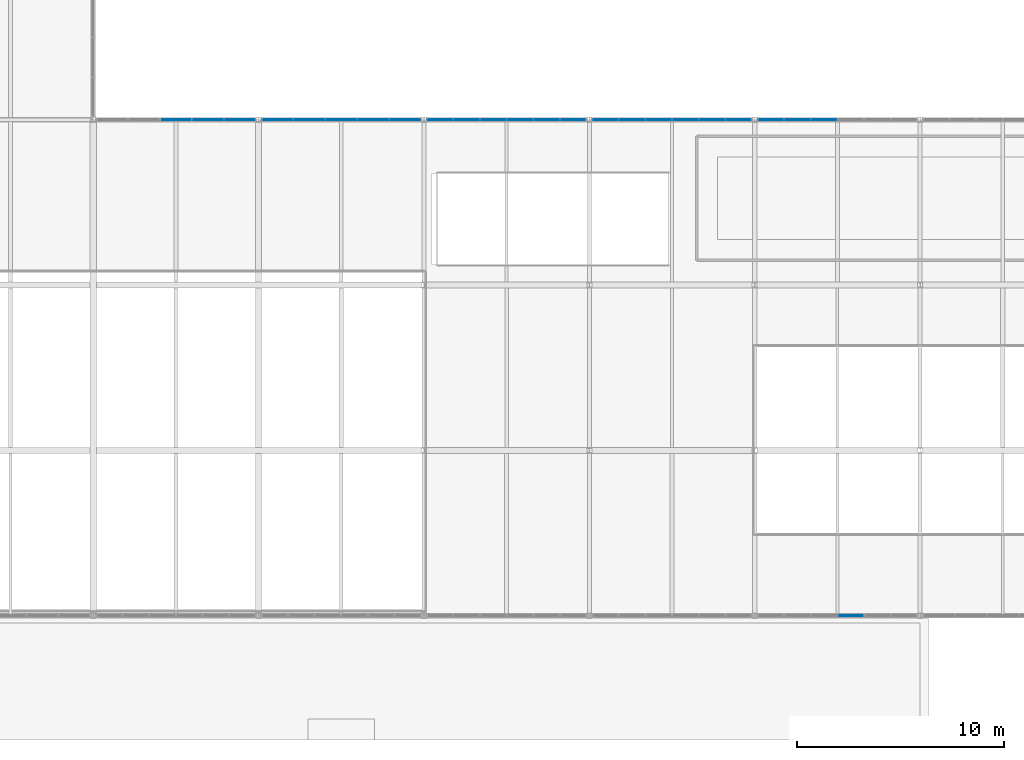
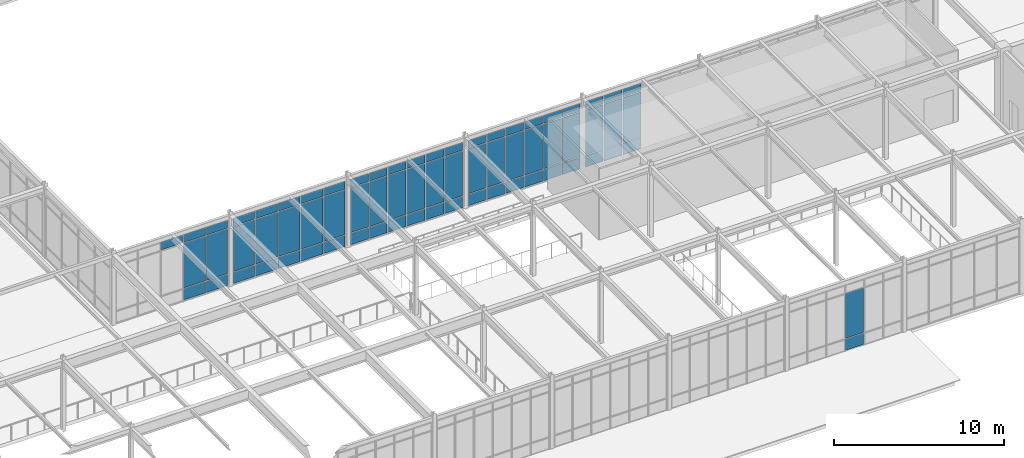
# One storey, part 91 of 184: 69 plates, 6 elements without a shape of their own.
"""IFC4 building model written with IfcOpenShell, lengths in metres."""

from ifc_helpers import new_model, si_unit, direction, frame, origin, origin_2d, place, context, subcontext, project, spatial, rectangle, extrude, material, layer, layer_set, type_object, element, aggregate, save


model = new_model("IFC4")

# Units and contexts
model_context = context("Model", 3, precision=1e-05, world=origin(), true_north=direction((0.0, 1.0)))
body_context = subcontext(model_context, "Body", "Model", "MODEL_VIEW")
ifc_project = project(units=[si_unit("LENGTHUNIT", "METRE"), si_unit("AREAUNIT", "SQUARE_METRE"), si_unit("VOLUMEUNIT", "CUBIC_METRE"), si_unit("PLANEANGLEUNIT", "RADIAN"), si_unit("MASSUNIT", "GRAM", prefix="KILO")], contexts=[model_context])

# Site, building, storey
site_placement = place(None, origin())
site = spatial("IfcSite", under=ifc_project, at=site_placement, CompositionType="ELEMENT")
building_placement = place(site_placement, origin())
building = spatial("IfcBuilding", under=site, at=building_placement, Name="Zhaolan Boulevard Law Courts", CompositionType="ELEMENT")
storey_placement = place(building_placement, frame((0.0, 0.0, 5.39990234375)))
storey = spatial("IfcBuildingStorey", under=building, at=storey_placement, Name="L01", CompositionType="ELEMENT", Elevation=5.39990234375)

# Curtain wall, plates
ifc_material_1 = material(Name="Thermally broken aluminium and low-E glazing", Category="aluminium")
curtain_wall_type_1 = type_object("IfcCurtainWallType", Name="CURTAIN WALL M15", PredefinedType="USERDEFINED", material=ifc_material_1)
curtain_wall_1_placement = place(storey_placement, origin())
curtain_wall_1 = element("IfcCurtainWall", 1, at=curtain_wall_1_placement, inside=storey, type_object=curtain_wall_type_1, Name="Curtain Wall CW-L01-039", ObjectType="CURTAIN WALL", PredefinedType="USERDEFINED")
ifc_material_2 = material(Name="Acoustic laminated low-E glazing", Category="glass")
ifc_layer = layer(ifc_material_2, 0.031982421875)
ifc_layer_set = layer_set([ifc_layer])
plate_type = type_object("IfcPlateType", Name="CWPANEL LOW E32", PredefinedType="CURTAIN_PANEL", material=ifc_layer_set)
plate_1_placement = place(storey_placement, frame((96.6455078125, 6.0, 0.06494140625), z_axis=(0.0, 0.0, 1.0), x_axis=(1.0, 0.0, 0.0)))
plate_1 = element("IfcPlate", 2, at=plate_1_placement, type_object=plate_type, Name="CW-L01-039 panel 4.1", PredefinedType="CURTAIN_PANEL", context=body_context, shape_type="SweptSolid", body=[
    extrude(rectangle(XDim=1.22607421875, YDim=0.031982421875, at=origin_2d()), origin(), (0.0, 0.0, 1.0), 0.802490234375),
])
plate_2_placement = place(storey_placement, frame((96.6455078125, 6.0, 0.9326171875), z_axis=(0.0, 0.0, 1.0), x_axis=(1.0, 0.0, 0.0)))
plate_2 = element("IfcPlate", 3, at=plate_2_placement, type_object=plate_type, Name="CW-L01-039 panel 4.2", PredefinedType="CURTAIN_PANEL", context=body_context, shape_type="SweptSolid", body=[
    extrude(rectangle(XDim=1.22607421875, YDim=0.031982421875, at=origin_2d()), origin(), (0.0, 0.0, 1.0), 3.2080078125),
])
aggregate(curtain_wall_1, [plate_1, plate_2])

ifc_material_3 = material(Name="Thermally broken aluminium and low-E glazing", Category="aluminium")
curtain_wall_type_2 = type_object("IfcCurtainWallType", Name="CURTAIN WALL M1", PredefinedType="USERDEFINED", material=ifc_material_3)
curtain_wall_2_placement = place(storey_placement, origin())
curtain_wall_2 = element("IfcCurtainWall", 4, at=curtain_wall_2_placement, inside=storey, type_object=curtain_wall_type_2, Name="Curtain Wall CW-L01-049", ObjectType="CURTAIN WALL", PredefinedType="USERDEFINED")
plate_3_placement = place(storey_placement, frame((67.08203125, 30.0, 0.06494140625), z_axis=(0.0, 0.0, 1.0), x_axis=(-1.0, 0.0, 0.0)))
plate_3 = element("IfcPlate", 5, at=plate_3_placement, type_object=plate_type, Name="CW-L01-049 panel 1.1", PredefinedType="CURTAIN_PANEL", context=body_context, shape_type="SweptSolid", body=[
    extrude(rectangle(XDim=1.45166015625, YDim=0.031982421875, at=origin_2d()), origin(), (0.0, 0.0, 1.0), 0.802490234375),
])
plate_4_placement = place(storey_placement, frame((67.08203125, 30.0, 0.9326171875), z_axis=(0.0, 0.0, 1.0), x_axis=(-1.0, 0.0, 0.0)))
plate_4 = element("IfcPlate", 6, at=plate_4_placement, type_object=plate_type, Name="CW-L01-049 panel 1.2", PredefinedType="CURTAIN_PANEL", context=body_context, shape_type="SweptSolid", body=[
    extrude(rectangle(XDim=1.45166015625, YDim=0.031982421875, at=origin_2d()), origin(), (0.0, 0.0, 1.0), 3.2080078125),
])
plate_5_placement = place(storey_placement, frame((67.08203125, 30.0, 4.20556640625), z_axis=(0.0, 0.0, 1.0), x_axis=(-1.0, 0.0, 0.0)))
plate_5 = element("IfcPlate", 7, at=plate_5_placement, type_object=plate_type, Name="CW-L01-049 panel 1.3", PredefinedType="CURTAIN_PANEL", context=body_context, shape_type="SweptSolid", body=[
    extrude(rectangle(XDim=1.45166015625, YDim=0.031982421875, at=origin_2d()), origin(), (0.0, 0.0, 1.0), 0.552490234375),
])
plate_6_placement = place(storey_placement, frame((65.54931640625, 30.0, 0.06494140625), z_axis=(0.0, 0.0, 1.0), x_axis=(-1.0, 0.0, 0.0)))
plate_6 = element("IfcPlate", 8, at=plate_6_placement, type_object=plate_type, Name="CW-L01-049 panel 2.1", PredefinedType="CURTAIN_PANEL", context=body_context, shape_type="SweptSolid", body=[
    extrude(rectangle(XDim=1.484130859375, YDim=0.031982421875, at=origin_2d()), origin(), (0.0, 0.0, 1.0), 0.802490234375),
])
plate_7_placement = place(storey_placement, frame((65.54931640625, 30.0, 0.9326171875), z_axis=(0.0, 0.0, 1.0), x_axis=(-1.0, 0.0, 0.0)))
plate_7 = element("IfcPlate", 9, at=plate_7_placement, type_object=plate_type, Name="CW-L01-049 panel 2.2", PredefinedType="CURTAIN_PANEL", context=body_context, shape_type="SweptSolid", body=[
    extrude(rectangle(XDim=1.484130859375, YDim=0.031982421875, at=origin_2d()), origin(), (0.0, 0.0, 1.0), 3.2080078125),
])
plate_8_placement = place(storey_placement, frame((65.54931640625, 30.0, 4.20556640625), z_axis=(0.0, 0.0, 1.0), x_axis=(-1.0, 0.0, 0.0)))
plate_8 = element("IfcPlate", 10, at=plate_8_placement, type_object=plate_type, Name="CW-L01-049 panel 2.3", PredefinedType="CURTAIN_PANEL", context=body_context, shape_type="SweptSolid", body=[
    extrude(rectangle(XDim=1.484130859375, YDim=0.031982421875, at=origin_2d()), origin(), (0.0, 0.0, 1.0), 0.552490234375),
])
plate_9_placement = place(storey_placement, frame((64.0, 30.0, 4.20556640625), z_axis=(0.0, 0.0, 1.0), x_axis=(-1.0, 0.0, 0.0)))
plate_9 = element("IfcPlate", 11, at=plate_9_placement, type_object=plate_type, Name="CW-L01-049 panel 3.3", PredefinedType="CURTAIN_PANEL", context=body_context, shape_type="SweptSolid", body=[
    extrude(rectangle(XDim=1.484130859375, YDim=0.031982421875, at=origin_2d()), origin(), (0.0, 0.0, 1.0), 0.552490234375),
])
aggregate(curtain_wall_2, [plate_3, plate_4, plate_5, plate_6, plate_7, plate_8, plate_9])

ifc_material_4 = material(Name="Thermally broken aluminium and low-E glazing", Category="aluminium")
curtain_wall_type_3 = type_object("IfcCurtainWallType", Name="CURTAIN WALL M2", PredefinedType="USERDEFINED", material=ifc_material_4)
curtain_wall_3_placement = place(storey_placement, origin())
curtain_wall_3 = element("IfcCurtainWall", 12, at=curtain_wall_3_placement, inside=storey, type_object=curtain_wall_type_3, Name="Curtain Wall CW-L01-050", ObjectType="CURTAIN WALL", PredefinedType="USERDEFINED")
plate_10_placement = place(storey_placement, frame((75.08203125, 30.0, 0.06494140625), z_axis=(0.0, 0.0, 1.0), x_axis=(-1.0, 0.0, 0.0)))
plate_10 = element("IfcPlate", 13, at=plate_10_placement, type_object=plate_type, Name="CW-L01-050 panel 1.1", PredefinedType="CURTAIN_PANEL", context=body_context, shape_type="SweptSolid", body=[
    extrude(rectangle(XDim=1.45166015625, YDim=0.031982421875, at=origin_2d()), origin(), (0.0, 0.0, 1.0), 0.802490234375),
])
plate_11_placement = place(storey_placement, frame((75.08203125, 30.0, 0.9326171875), z_axis=(0.0, 0.0, 1.0), x_axis=(-1.0, 0.0, 0.0)))
plate_11 = element("IfcPlate", 14, at=plate_11_placement, type_object=plate_type, Name="CW-L01-050 panel 1.2", PredefinedType="CURTAIN_PANEL", context=body_context, shape_type="SweptSolid", body=[
    extrude(rectangle(XDim=1.45166015625, YDim=0.031982421875, at=origin_2d()), origin(), (0.0, 0.0, 1.0), 3.2080078125),
])
plate_12_placement = place(storey_placement, frame((75.08203125, 30.0, 4.20556640625), z_axis=(0.0, 0.0, 1.0), x_axis=(-1.0, 0.0, 0.0)))
plate_12 = element("IfcPlate", 15, at=plate_12_placement, type_object=plate_type, Name="CW-L01-050 panel 1.3", PredefinedType="CURTAIN_PANEL", context=body_context, shape_type="SweptSolid", body=[
    extrude(rectangle(XDim=1.45166015625, YDim=0.031982421875, at=origin_2d()), origin(), (0.0, 0.0, 1.0), 0.552490234375),
])
plate_13_placement = place(storey_placement, frame((73.54931640625, 30.0, 0.06494140625), z_axis=(0.0, 0.0, 1.0), x_axis=(-1.0, 0.0, 0.0)))
plate_13 = element("IfcPlate", 16, at=plate_13_placement, type_object=plate_type, Name="CW-L01-050 panel 2.1", PredefinedType="CURTAIN_PANEL", context=body_context, shape_type="SweptSolid", body=[
    extrude(rectangle(XDim=1.484130859375, YDim=0.031982421875, at=origin_2d()), origin(), (0.0, 0.0, 1.0), 0.802490234375),
])
plate_14_placement = place(storey_placement, frame((73.54931640625, 30.0, 0.9326171875), z_axis=(0.0, 0.0, 1.0), x_axis=(-1.0, 0.0, 0.0)))
plate_14 = element("IfcPlate", 17, at=plate_14_placement, type_object=plate_type, Name="CW-L01-050 panel 2.2", PredefinedType="CURTAIN_PANEL", context=body_context, shape_type="SweptSolid", body=[
    extrude(rectangle(XDim=1.484130859375, YDim=0.031982421875, at=origin_2d()), origin(), (0.0, 0.0, 1.0), 3.2080078125),
])
plate_15_placement = place(storey_placement, frame((73.54931640625, 30.0, 4.20556640625), z_axis=(0.0, 0.0, 1.0), x_axis=(-1.0, 0.0, 0.0)))
plate_15 = element("IfcPlate", 18, at=plate_15_placement, type_object=plate_type, Name="CW-L01-050 panel 2.3", PredefinedType="CURTAIN_PANEL", context=body_context, shape_type="SweptSolid", body=[
    extrude(rectangle(XDim=1.484130859375, YDim=0.031982421875, at=origin_2d()), origin(), (0.0, 0.0, 1.0), 0.552490234375),
])
plate_16_placement = place(storey_placement, frame((72.0, 30.0, 0.06494140625), z_axis=(0.0, 0.0, 1.0), x_axis=(-1.0, 0.0, 0.0)))
plate_16 = element("IfcPlate", 19, at=plate_16_placement, type_object=plate_type, Name="CW-L01-050 panel 3.1", PredefinedType="CURTAIN_PANEL", context=body_context, shape_type="SweptSolid", body=[
    extrude(rectangle(XDim=1.484130859375, YDim=0.031982421875, at=origin_2d()), origin(), (0.0, 0.0, 1.0), 0.802490234375),
])
plate_17_placement = place(storey_placement, frame((72.0, 30.0, 0.9326171875), z_axis=(0.0, 0.0, 1.0), x_axis=(-1.0, 0.0, 0.0)))
plate_17 = element("IfcPlate", 20, at=plate_17_placement, type_object=plate_type, Name="CW-L01-050 panel 3.2", PredefinedType="CURTAIN_PANEL", context=body_context, shape_type="SweptSolid", body=[
    extrude(rectangle(XDim=1.484130859375, YDim=0.031982421875, at=origin_2d()), origin(), (0.0, 0.0, 1.0), 3.2080078125),
])
plate_18_placement = place(storey_placement, frame((72.0, 30.0, 4.20556640625), z_axis=(0.0, 0.0, 1.0), x_axis=(-1.0, 0.0, 0.0)))
plate_18 = element("IfcPlate", 21, at=plate_18_placement, type_object=plate_type, Name="CW-L01-050 panel 3.3", PredefinedType="CURTAIN_PANEL", context=body_context, shape_type="SweptSolid", body=[
    extrude(rectangle(XDim=1.484130859375, YDim=0.031982421875, at=origin_2d()), origin(), (0.0, 0.0, 1.0), 0.552490234375),
])
plate_19_placement = place(storey_placement, frame((70.45068359375, 30.0, 0.06494140625), z_axis=(0.0, 0.0, 1.0), x_axis=(-1.0, 0.0, 0.0)))
plate_19 = element("IfcPlate", 22, at=plate_19_placement, type_object=plate_type, Name="CW-L01-050 panel 4.1", PredefinedType="CURTAIN_PANEL", context=body_context, shape_type="SweptSolid", body=[
    extrude(rectangle(XDim=1.484130859375, YDim=0.031982421875, at=origin_2d()), origin(), (0.0, 0.0, 1.0), 0.802490234375),
])
plate_20_placement = place(storey_placement, frame((70.45068359375, 30.0, 0.9326171875), z_axis=(0.0, 0.0, 1.0), x_axis=(-1.0, 0.0, 0.0)))
plate_20 = element("IfcPlate", 23, at=plate_20_placement, type_object=plate_type, Name="CW-L01-050 panel 4.2", PredefinedType="CURTAIN_PANEL", context=body_context, shape_type="SweptSolid", body=[
    extrude(rectangle(XDim=1.484130859375, YDim=0.031982421875, at=origin_2d()), origin(), (0.0, 0.0, 1.0), 3.2080078125),
])
plate_21_placement = place(storey_placement, frame((70.45068359375, 30.0, 4.20556640625), z_axis=(0.0, 0.0, 1.0), x_axis=(-1.0, 0.0, 0.0)))
plate_21 = element("IfcPlate", 24, at=plate_21_placement, type_object=plate_type, Name="CW-L01-050 panel 4.3", PredefinedType="CURTAIN_PANEL", context=body_context, shape_type="SweptSolid", body=[
    extrude(rectangle(XDim=1.484130859375, YDim=0.031982421875, at=origin_2d()), origin(), (0.0, 0.0, 1.0), 0.552490234375),
])
plate_22_placement = place(storey_placement, frame((68.91796875, 30.0, 0.06494140625), z_axis=(0.0, 0.0, 1.0), x_axis=(-1.0, 0.0, 0.0)))
plate_22 = element("IfcPlate", 25, at=plate_22_placement, type_object=plate_type, Name="CW-L01-050 panel 5.1", PredefinedType="CURTAIN_PANEL", context=body_context, shape_type="SweptSolid", body=[
    extrude(rectangle(XDim=1.45166015625, YDim=0.031982421875, at=origin_2d()), origin(), (0.0, 0.0, 1.0), 0.802490234375),
])
plate_23_placement = place(storey_placement, frame((68.91796875, 30.0, 0.9326171875), z_axis=(0.0, 0.0, 1.0), x_axis=(-1.0, 0.0, 0.0)))
plate_23 = element("IfcPlate", 26, at=plate_23_placement, type_object=plate_type, Name="CW-L01-050 panel 5.2", PredefinedType="CURTAIN_PANEL", context=body_context, shape_type="SweptSolid", body=[
    extrude(rectangle(XDim=1.45166015625, YDim=0.031982421875, at=origin_2d()), origin(), (0.0, 0.0, 1.0), 3.2080078125),
])
plate_24_placement = place(storey_placement, frame((68.91796875, 30.0, 4.20556640625), z_axis=(0.0, 0.0, 1.0), x_axis=(-1.0, 0.0, 0.0)))
plate_24 = element("IfcPlate", 27, at=plate_24_placement, type_object=plate_type, Name="CW-L01-050 panel 5.3", PredefinedType="CURTAIN_PANEL", context=body_context, shape_type="SweptSolid", body=[
    extrude(rectangle(XDim=1.45166015625, YDim=0.031982421875, at=origin_2d()), origin(), (0.0, 0.0, 1.0), 0.552490234375),
])
aggregate(curtain_wall_3, [plate_10, plate_11, plate_12, plate_13, plate_14, plate_15, plate_16, plate_17, plate_18, plate_19, plate_20, plate_21, plate_22, plate_23, plate_24])

ifc_material_5 = material(Name="Thermally broken aluminium and low-E glazing", Category="aluminium")
curtain_wall_type_4 = type_object("IfcCurtainWallType", Name="CURTAIN WALL M3", PredefinedType="USERDEFINED", material=ifc_material_5)
curtain_wall_4_placement = place(storey_placement, origin())
curtain_wall_4 = element("IfcCurtainWall", 28, at=curtain_wall_4_placement, inside=storey, type_object=curtain_wall_type_4, Name="Curtain Wall CW-L01-051", ObjectType="CURTAIN WALL", PredefinedType="USERDEFINED")
plate_25_placement = place(storey_placement, frame((83.211181640625, 30.0, 0.06494140625), z_axis=(0.0, 0.0, 1.0), x_axis=(-1.0, 0.0, 0.0)))
plate_25 = element("IfcPlate", 29, at=plate_25_placement, type_object=plate_type, Name="CW-L01-051 panel 1.1", PredefinedType="CURTAIN_PANEL", context=body_context, shape_type="SweptSolid", body=[
    extrude(rectangle(XDim=1.193603515625, YDim=0.031982421875, at=origin_2d()), origin(), (0.0, 0.0, 1.0), 0.802490234375),
])
plate_26_placement = place(storey_placement, frame((83.211181640625, 30.0, 0.9326171875), z_axis=(0.0, 0.0, 1.0), x_axis=(-1.0, 0.0, 0.0)))
plate_26 = element("IfcPlate", 30, at=plate_26_placement, type_object=plate_type, Name="CW-L01-051 panel 1.2", PredefinedType="CURTAIN_PANEL", context=body_context, shape_type="SweptSolid", body=[
    extrude(rectangle(XDim=1.193603515625, YDim=0.031982421875, at=origin_2d()), origin(), (0.0, 0.0, 1.0), 3.2080078125),
])
plate_27_placement = place(storey_placement, frame((83.211181640625, 30.0, 4.20556640625), z_axis=(0.0, 0.0, 1.0), x_axis=(-1.0, 0.0, 0.0)))
plate_27 = element("IfcPlate", 31, at=plate_27_placement, type_object=plate_type, Name="CW-L01-051 panel 1.3", PredefinedType="CURTAIN_PANEL", context=body_context, shape_type="SweptSolid", body=[
    extrude(rectangle(XDim=1.193603515625, YDim=0.031982421875, at=origin_2d()), origin(), (0.0, 0.0, 1.0), 0.552490234375),
])
plate_28_placement = place(storey_placement, frame((81.9365234375, 30.0, 0.06494140625), z_axis=(0.0, 0.0, 1.0), x_axis=(-1.0, 0.0, 0.0)))
plate_28 = element("IfcPlate", 32, at=plate_28_placement, type_object=plate_type, Name="CW-L01-051 panel 2.1", PredefinedType="CURTAIN_PANEL", context=body_context, shape_type="SweptSolid", body=[
    extrude(rectangle(XDim=1.22607421875, YDim=0.031982421875, at=origin_2d()), origin(), (0.0, 0.0, 1.0), 0.802490234375),
])
plate_29_placement = place(storey_placement, frame((81.9365234375, 30.0, 0.9326171875), z_axis=(0.0, 0.0, 1.0), x_axis=(-1.0, 0.0, 0.0)))
plate_29 = element("IfcPlate", 33, at=plate_29_placement, type_object=plate_type, Name="CW-L01-051 panel 2.2", PredefinedType="CURTAIN_PANEL", context=body_context, shape_type="SweptSolid", body=[
    extrude(rectangle(XDim=1.22607421875, YDim=0.031982421875, at=origin_2d()), origin(), (0.0, 0.0, 1.0), 3.2080078125),
])
plate_30_placement = place(storey_placement, frame((81.9365234375, 30.0, 4.20556640625), z_axis=(0.0, 0.0, 1.0), x_axis=(-1.0, 0.0, 0.0)))
plate_30 = element("IfcPlate", 34, at=plate_30_placement, type_object=plate_type, Name="CW-L01-051 panel 2.3", PredefinedType="CURTAIN_PANEL", context=body_context, shape_type="SweptSolid", body=[
    extrude(rectangle(XDim=1.22607421875, YDim=0.031982421875, at=origin_2d()), origin(), (0.0, 0.0, 1.0), 0.552490234375),
])
plate_31_placement = place(storey_placement, frame((80.6455078125, 30.0, 0.06494140625), z_axis=(0.0, 0.0, 1.0), x_axis=(-1.0, 0.0, 0.0)))
plate_31 = element("IfcPlate", 35, at=plate_31_placement, type_object=plate_type, Name="CW-L01-051 panel 3.1", PredefinedType="CURTAIN_PANEL", context=body_context, shape_type="SweptSolid", body=[
    extrude(rectangle(XDim=1.22607421875, YDim=0.031982421875, at=origin_2d()), origin(), (0.0, 0.0, 1.0), 0.802490234375),
])
plate_32_placement = place(storey_placement, frame((80.6455078125, 30.0, 0.9326171875), z_axis=(0.0, 0.0, 1.0), x_axis=(-1.0, 0.0, 0.0)))
plate_32 = element("IfcPlate", 36, at=plate_32_placement, type_object=plate_type, Name="CW-L01-051 panel 3.2", PredefinedType="CURTAIN_PANEL", context=body_context, shape_type="SweptSolid", body=[
    extrude(rectangle(XDim=1.22607421875, YDim=0.031982421875, at=origin_2d()), origin(), (0.0, 0.0, 1.0), 3.2080078125),
])
plate_33_placement = place(storey_placement, frame((80.6455078125, 30.0, 4.20556640625), z_axis=(0.0, 0.0, 1.0), x_axis=(-1.0, 0.0, 0.0)))
plate_33 = element("IfcPlate", 37, at=plate_33_placement, type_object=plate_type, Name="CW-L01-051 panel 3.3", PredefinedType="CURTAIN_PANEL", context=body_context, shape_type="SweptSolid", body=[
    extrude(rectangle(XDim=1.22607421875, YDim=0.031982421875, at=origin_2d()), origin(), (0.0, 0.0, 1.0), 0.552490234375),
])
plate_34_placement = place(storey_placement, frame((79.3544921875, 30.0, 0.06494140625), z_axis=(0.0, 0.0, 1.0), x_axis=(-1.0, 0.0, 0.0)))
plate_34 = element("IfcPlate", 38, at=plate_34_placement, type_object=plate_type, Name="CW-L01-051 panel 4.1", PredefinedType="CURTAIN_PANEL", context=body_context, shape_type="SweptSolid", body=[
    extrude(rectangle(XDim=1.22607421875, YDim=0.031982421875, at=origin_2d()), origin(), (0.0, 0.0, 1.0), 0.802490234375),
])
plate_35_placement = place(storey_placement, frame((79.3544921875, 30.0, 0.9326171875), z_axis=(0.0, 0.0, 1.0), x_axis=(-1.0, 0.0, 0.0)))
plate_35 = element("IfcPlate", 39, at=plate_35_placement, type_object=plate_type, Name="CW-L01-051 panel 4.2", PredefinedType="CURTAIN_PANEL", context=body_context, shape_type="SweptSolid", body=[
    extrude(rectangle(XDim=1.22607421875, YDim=0.031982421875, at=origin_2d()), origin(), (0.0, 0.0, 1.0), 3.2080078125),
])
plate_36_placement = place(storey_placement, frame((79.3544921875, 30.0, 4.20556640625), z_axis=(0.0, 0.0, 1.0), x_axis=(-1.0, 0.0, 0.0)))
plate_36 = element("IfcPlate", 40, at=plate_36_placement, type_object=plate_type, Name="CW-L01-051 panel 4.3", PredefinedType="CURTAIN_PANEL", context=body_context, shape_type="SweptSolid", body=[
    extrude(rectangle(XDim=1.22607421875, YDim=0.031982421875, at=origin_2d()), origin(), (0.0, 0.0, 1.0), 0.552490234375),
])
plate_37_placement = place(storey_placement, frame((78.0634765625, 30.0, 0.06494140625), z_axis=(0.0, 0.0, 1.0), x_axis=(-1.0, 0.0, 0.0)))
plate_37 = element("IfcPlate", 41, at=plate_37_placement, type_object=plate_type, Name="CW-L01-051 panel 5.1", PredefinedType="CURTAIN_PANEL", context=body_context, shape_type="SweptSolid", body=[
    extrude(rectangle(XDim=1.22607421875, YDim=0.031982421875, at=origin_2d()), origin(), (0.0, 0.0, 1.0), 0.802490234375),
])
plate_38_placement = place(storey_placement, frame((78.0634765625, 30.0, 0.9326171875), z_axis=(0.0, 0.0, 1.0), x_axis=(-1.0, 0.0, 0.0)))
plate_38 = element("IfcPlate", 42, at=plate_38_placement, type_object=plate_type, Name="CW-L01-051 panel 5.2", PredefinedType="CURTAIN_PANEL", context=body_context, shape_type="SweptSolid", body=[
    extrude(rectangle(XDim=1.22607421875, YDim=0.031982421875, at=origin_2d()), origin(), (0.0, 0.0, 1.0), 3.2080078125),
])
plate_39_placement = place(storey_placement, frame((78.0634765625, 30.0, 4.20556640625), z_axis=(0.0, 0.0, 1.0), x_axis=(-1.0, 0.0, 0.0)))
plate_39 = element("IfcPlate", 43, at=plate_39_placement, type_object=plate_type, Name="CW-L01-051 panel 5.3", PredefinedType="CURTAIN_PANEL", context=body_context, shape_type="SweptSolid", body=[
    extrude(rectangle(XDim=1.22607421875, YDim=0.031982421875, at=origin_2d()), origin(), (0.0, 0.0, 1.0), 0.552490234375),
])
plate_40_placement = place(storey_placement, frame((76.788818359375, 30.0, 0.06494140625), z_axis=(0.0, 0.0, 1.0), x_axis=(-1.0, 0.0, 0.0)))
plate_40 = element("IfcPlate", 44, at=plate_40_placement, type_object=plate_type, Name="CW-L01-051 panel 6.1", PredefinedType="CURTAIN_PANEL", context=body_context, shape_type="SweptSolid", body=[
    extrude(rectangle(XDim=1.193603515625, YDim=0.031982421875, at=origin_2d()), origin(), (0.0, 0.0, 1.0), 0.802490234375),
])
plate_41_placement = place(storey_placement, frame((76.788818359375, 30.0, 0.9326171875), z_axis=(0.0, 0.0, 1.0), x_axis=(-1.0, 0.0, 0.0)))
plate_41 = element("IfcPlate", 45, at=plate_41_placement, type_object=plate_type, Name="CW-L01-051 panel 6.2", PredefinedType="CURTAIN_PANEL", context=body_context, shape_type="SweptSolid", body=[
    extrude(rectangle(XDim=1.193603515625, YDim=0.031982421875, at=origin_2d()), origin(), (0.0, 0.0, 1.0), 3.2080078125),
])
plate_42_placement = place(storey_placement, frame((76.788818359375, 30.0, 4.20556640625), z_axis=(0.0, 0.0, 1.0), x_axis=(-1.0, 0.0, 0.0)))
plate_42 = element("IfcPlate", 46, at=plate_42_placement, type_object=plate_type, Name="CW-L01-051 panel 6.3", PredefinedType="CURTAIN_PANEL", context=body_context, shape_type="SweptSolid", body=[
    extrude(rectangle(XDim=1.193603515625, YDim=0.031982421875, at=origin_2d()), origin(), (0.0, 0.0, 1.0), 0.552490234375),
])
aggregate(curtain_wall_4, [plate_25, plate_26, plate_27, plate_28, plate_29, plate_30, plate_31, plate_32, plate_33, plate_34, plate_35, plate_36, plate_37, plate_38, plate_39, plate_40, plate_41, plate_42])

ifc_material_6 = material(Name="Thermally broken aluminium and low-E glazing", Category="aluminium")
curtain_wall_type_5 = type_object("IfcCurtainWallType", Name="CURTAIN WALL M4", PredefinedType="USERDEFINED", material=ifc_material_6)
curtain_wall_5_placement = place(storey_placement, origin())
curtain_wall_5 = element("IfcCurtainWall", 47, at=curtain_wall_5_placement, inside=storey, type_object=curtain_wall_type_5, Name="Curtain Wall CW-L01-052", ObjectType="CURTAIN WALL", PredefinedType="USERDEFINED")
plate_43_placement = place(storey_placement, frame((91.211181640625, 30.0, 0.06494140625), z_axis=(0.0, 0.0, 1.0), x_axis=(-1.0, 0.0, 0.0)))
plate_43 = element("IfcPlate", 48, at=plate_43_placement, type_object=plate_type, Name="CW-L01-052 panel 1.1", PredefinedType="CURTAIN_PANEL", context=body_context, shape_type="SweptSolid", body=[
    extrude(rectangle(XDim=1.193603515625, YDim=0.031982421875, at=origin_2d()), origin(), (0.0, 0.0, 1.0), 0.802490234375),
])
plate_44_placement = place(storey_placement, frame((91.211181640625, 30.0, 0.9326171875), z_axis=(0.0, 0.0, 1.0), x_axis=(-1.0, 0.0, 0.0)))
plate_44 = element("IfcPlate", 49, at=plate_44_placement, type_object=plate_type, Name="CW-L01-052 panel 1.2", PredefinedType="CURTAIN_PANEL", context=body_context, shape_type="SweptSolid", body=[
    extrude(rectangle(XDim=1.193603515625, YDim=0.031982421875, at=origin_2d()), origin(), (0.0, 0.0, 1.0), 3.2080078125),
])
plate_45_placement = place(storey_placement, frame((91.211181640625, 30.0, 4.20556640625), z_axis=(0.0, 0.0, 1.0), x_axis=(-1.0, 0.0, 0.0)))
plate_45 = element("IfcPlate", 50, at=plate_45_placement, type_object=plate_type, Name="CW-L01-052 panel 1.3", PredefinedType="CURTAIN_PANEL", context=body_context, shape_type="SweptSolid", body=[
    extrude(rectangle(XDim=1.193603515625, YDim=0.031982421875, at=origin_2d()), origin(), (0.0, 0.0, 1.0), 0.552490234375),
])
plate_46_placement = place(storey_placement, frame((89.9365234375, 30.0, 0.06494140625), z_axis=(0.0, 0.0, 1.0), x_axis=(-1.0, 0.0, 0.0)))
plate_46 = element("IfcPlate", 51, at=plate_46_placement, type_object=plate_type, Name="CW-L01-052 panel 2.1", PredefinedType="CURTAIN_PANEL", context=body_context, shape_type="SweptSolid", body=[
    extrude(rectangle(XDim=1.22607421875, YDim=0.031982421875, at=origin_2d()), origin(), (0.0, 0.0, 1.0), 0.802490234375),
])
plate_47_placement = place(storey_placement, frame((89.9365234375, 30.0, 0.9326171875), z_axis=(0.0, 0.0, 1.0), x_axis=(-1.0, 0.0, 0.0)))
plate_47 = element("IfcPlate", 52, at=plate_47_placement, type_object=plate_type, Name="CW-L01-052 panel 2.2", PredefinedType="CURTAIN_PANEL", context=body_context, shape_type="SweptSolid", body=[
    extrude(rectangle(XDim=1.22607421875, YDim=0.031982421875, at=origin_2d()), origin(), (0.0, 0.0, 1.0), 3.2080078125),
])
plate_48_placement = place(storey_placement, frame((89.9365234375, 30.0, 4.20556640625), z_axis=(0.0, 0.0, 1.0), x_axis=(-1.0, 0.0, 0.0)))
plate_48 = element("IfcPlate", 53, at=plate_48_placement, type_object=plate_type, Name="CW-L01-052 panel 2.3", PredefinedType="CURTAIN_PANEL", context=body_context, shape_type="SweptSolid", body=[
    extrude(rectangle(XDim=1.22607421875, YDim=0.031982421875, at=origin_2d()), origin(), (0.0, 0.0, 1.0), 0.552490234375),
])
plate_49_placement = place(storey_placement, frame((88.6455078125, 30.0, 0.06494140625), z_axis=(0.0, 0.0, 1.0), x_axis=(-1.0, 0.0, 0.0)))
plate_49 = element("IfcPlate", 54, at=plate_49_placement, type_object=plate_type, Name="CW-L01-052 panel 3.1", PredefinedType="CURTAIN_PANEL", context=body_context, shape_type="SweptSolid", body=[
    extrude(rectangle(XDim=1.22607421875, YDim=0.031982421875, at=origin_2d()), origin(), (0.0, 0.0, 1.0), 0.802490234375),
])
plate_50_placement = place(storey_placement, frame((88.6455078125, 30.0, 0.9326171875), z_axis=(0.0, 0.0, 1.0), x_axis=(-1.0, 0.0, 0.0)))
plate_50 = element("IfcPlate", 55, at=plate_50_placement, type_object=plate_type, Name="CW-L01-052 panel 3.2", PredefinedType="CURTAIN_PANEL", context=body_context, shape_type="SweptSolid", body=[
    extrude(rectangle(XDim=1.22607421875, YDim=0.031982421875, at=origin_2d()), origin(), (0.0, 0.0, 1.0), 3.2080078125),
])
plate_51_placement = place(storey_placement, frame((88.6455078125, 30.0, 4.20556640625), z_axis=(0.0, 0.0, 1.0), x_axis=(-1.0, 0.0, 0.0)))
plate_51 = element("IfcPlate", 56, at=plate_51_placement, type_object=plate_type, Name="CW-L01-052 panel 3.3", PredefinedType="CURTAIN_PANEL", context=body_context, shape_type="SweptSolid", body=[
    extrude(rectangle(XDim=1.22607421875, YDim=0.031982421875, at=origin_2d()), origin(), (0.0, 0.0, 1.0), 0.552490234375),
])
plate_52_placement = place(storey_placement, frame((87.3544921875, 30.0, 0.06494140625), z_axis=(0.0, 0.0, 1.0), x_axis=(-1.0, 0.0, 0.0)))
plate_52 = element("IfcPlate", 57, at=plate_52_placement, type_object=plate_type, Name="CW-L01-052 panel 4.1", PredefinedType="CURTAIN_PANEL", context=body_context, shape_type="SweptSolid", body=[
    extrude(rectangle(XDim=1.22607421875, YDim=0.031982421875, at=origin_2d()), origin(), (0.0, 0.0, 1.0), 0.802490234375),
])
plate_53_placement = place(storey_placement, frame((87.3544921875, 30.0, 0.9326171875), z_axis=(0.0, 0.0, 1.0), x_axis=(-1.0, 0.0, 0.0)))
plate_53 = element("IfcPlate", 58, at=plate_53_placement, type_object=plate_type, Name="CW-L01-052 panel 4.2", PredefinedType="CURTAIN_PANEL", context=body_context, shape_type="SweptSolid", body=[
    extrude(rectangle(XDim=1.22607421875, YDim=0.031982421875, at=origin_2d()), origin(), (0.0, 0.0, 1.0), 3.2080078125),
])
plate_54_placement = place(storey_placement, frame((87.3544921875, 30.0, 4.20556640625), z_axis=(0.0, 0.0, 1.0), x_axis=(-1.0, 0.0, 0.0)))
plate_54 = element("IfcPlate", 59, at=plate_54_placement, type_object=plate_type, Name="CW-L01-052 panel 4.3", PredefinedType="CURTAIN_PANEL", context=body_context, shape_type="SweptSolid", body=[
    extrude(rectangle(XDim=1.22607421875, YDim=0.031982421875, at=origin_2d()), origin(), (0.0, 0.0, 1.0), 0.552490234375),
])
plate_55_placement = place(storey_placement, frame((86.0634765625, 30.0, 0.06494140625), z_axis=(0.0, 0.0, 1.0), x_axis=(-1.0, 0.0, 0.0)))
plate_55 = element("IfcPlate", 60, at=plate_55_placement, type_object=plate_type, Name="CW-L01-052 panel 5.1", PredefinedType="CURTAIN_PANEL", context=body_context, shape_type="SweptSolid", body=[
    extrude(rectangle(XDim=1.22607421875, YDim=0.031982421875, at=origin_2d()), origin(), (0.0, 0.0, 1.0), 0.802490234375),
])
plate_56_placement = place(storey_placement, frame((86.0634765625, 30.0, 0.9326171875), z_axis=(0.0, 0.0, 1.0), x_axis=(-1.0, 0.0, 0.0)))
plate_56 = element("IfcPlate", 61, at=plate_56_placement, type_object=plate_type, Name="CW-L01-052 panel 5.2", PredefinedType="CURTAIN_PANEL", context=body_context, shape_type="SweptSolid", body=[
    extrude(rectangle(XDim=1.22607421875, YDim=0.031982421875, at=origin_2d()), origin(), (0.0, 0.0, 1.0), 3.2080078125),
])
plate_57_placement = place(storey_placement, frame((86.0634765625, 30.0, 4.20556640625), z_axis=(0.0, 0.0, 1.0), x_axis=(-1.0, 0.0, 0.0)))
plate_57 = element("IfcPlate", 62, at=plate_57_placement, type_object=plate_type, Name="CW-L01-052 panel 5.3", PredefinedType="CURTAIN_PANEL", context=body_context, shape_type="SweptSolid", body=[
    extrude(rectangle(XDim=1.22607421875, YDim=0.031982421875, at=origin_2d()), origin(), (0.0, 0.0, 1.0), 0.552490234375),
])
plate_58_placement = place(storey_placement, frame((84.788818359375, 30.0, 0.06494140625), z_axis=(0.0, 0.0, 1.0), x_axis=(-1.0, 0.0, 0.0)))
plate_58 = element("IfcPlate", 63, at=plate_58_placement, type_object=plate_type, Name="CW-L01-052 panel 6.1", PredefinedType="CURTAIN_PANEL", context=body_context, shape_type="SweptSolid", body=[
    extrude(rectangle(XDim=1.193603515625, YDim=0.031982421875, at=origin_2d()), origin(), (0.0, 0.0, 1.0), 0.802490234375),
])
plate_59_placement = place(storey_placement, frame((84.788818359375, 30.0, 0.9326171875), z_axis=(0.0, 0.0, 1.0), x_axis=(-1.0, 0.0, 0.0)))
plate_59 = element("IfcPlate", 64, at=plate_59_placement, type_object=plate_type, Name="CW-L01-052 panel 6.2", PredefinedType="CURTAIN_PANEL", context=body_context, shape_type="SweptSolid", body=[
    extrude(rectangle(XDim=1.193603515625, YDim=0.031982421875, at=origin_2d()), origin(), (0.0, 0.0, 1.0), 3.2080078125),
])
plate_60_placement = place(storey_placement, frame((84.788818359375, 30.0, 4.20556640625), z_axis=(0.0, 0.0, 1.0), x_axis=(-1.0, 0.0, 0.0)))
plate_60 = element("IfcPlate", 65, at=plate_60_placement, type_object=plate_type, Name="CW-L01-052 panel 6.3", PredefinedType="CURTAIN_PANEL", context=body_context, shape_type="SweptSolid", body=[
    extrude(rectangle(XDim=1.193603515625, YDim=0.031982421875, at=origin_2d()), origin(), (0.0, 0.0, 1.0), 0.552490234375),
])
aggregate(curtain_wall_5, [plate_43, plate_44, plate_45, plate_46, plate_47, plate_48, plate_49, plate_50, plate_51, plate_52, plate_53, plate_54, plate_55, plate_56, plate_57, plate_58, plate_59, plate_60])

ifc_material_7 = material(Name="Thermally broken aluminium and low-E glazing", Category="aluminium")
curtain_wall_type_6 = type_object("IfcCurtainWallType", Name="CURTAIN WALL M5", PredefinedType="USERDEFINED", material=ifc_material_7)
curtain_wall_6_placement = place(storey_placement, origin())
curtain_wall_6 = element("IfcCurtainWall", 66, at=curtain_wall_6_placement, inside=storey, type_object=curtain_wall_type_6, Name="Curtain Wall CW-L01-053", ObjectType="CURTAIN WALL", PredefinedType="USERDEFINED")
plate_61_placement = place(storey_placement, frame((95.3544921875, 30.0, 0.06494140625), z_axis=(0.0, 0.0, 1.0), x_axis=(-1.0, 0.0, 0.0)))
plate_61 = element("IfcPlate", 67, at=plate_61_placement, type_object=plate_type, Name="CW-L01-053 panel 4.1", PredefinedType="CURTAIN_PANEL", context=body_context, shape_type="SweptSolid", body=[
    extrude(rectangle(XDim=1.22607421875, YDim=0.031982421875, at=origin_2d()), origin(), (0.0, 0.0, 1.0), 0.802490234375),
])
plate_62_placement = place(storey_placement, frame((95.3544921875, 30.0, 0.9326171875), z_axis=(0.0, 0.0, 1.0), x_axis=(-1.0, 0.0, 0.0)))
plate_62 = element("IfcPlate", 68, at=plate_62_placement, type_object=plate_type, Name="CW-L01-053 panel 4.2", PredefinedType="CURTAIN_PANEL", context=body_context, shape_type="SweptSolid", body=[
    extrude(rectangle(XDim=1.22607421875, YDim=0.031982421875, at=origin_2d()), origin(), (0.0, 0.0, 1.0), 3.2080078125),
])
plate_63_placement = place(storey_placement, frame((95.3544921875, 30.0, 4.20556640625), z_axis=(0.0, 0.0, 1.0), x_axis=(-1.0, 0.0, 0.0)))
plate_63 = element("IfcPlate", 69, at=plate_63_placement, type_object=plate_type, Name="CW-L01-053 panel 4.3", PredefinedType="CURTAIN_PANEL", context=body_context, shape_type="SweptSolid", body=[
    extrude(rectangle(XDim=1.22607421875, YDim=0.031982421875, at=origin_2d()), origin(), (0.0, 0.0, 1.0), 0.552490234375),
])
plate_64_placement = place(storey_placement, frame((94.0634765625, 30.0, 0.06494140625), z_axis=(0.0, 0.0, 1.0), x_axis=(-1.0, 0.0, 0.0)))
plate_64 = element("IfcPlate", 70, at=plate_64_placement, type_object=plate_type, Name="CW-L01-053 panel 5.1", PredefinedType="CURTAIN_PANEL", context=body_context, shape_type="SweptSolid", body=[
    extrude(rectangle(XDim=1.22607421875, YDim=0.031982421875, at=origin_2d()), origin(), (0.0, 0.0, 1.0), 0.802490234375),
])
plate_65_placement = place(storey_placement, frame((94.0634765625, 30.0, 0.9326171875), z_axis=(0.0, 0.0, 1.0), x_axis=(-1.0, 0.0, 0.0)))
plate_65 = element("IfcPlate", 71, at=plate_65_placement, type_object=plate_type, Name="CW-L01-053 panel 5.2", PredefinedType="CURTAIN_PANEL", context=body_context, shape_type="SweptSolid", body=[
    extrude(rectangle(XDim=1.22607421875, YDim=0.031982421875, at=origin_2d()), origin(), (0.0, 0.0, 1.0), 3.2080078125),
])
plate_66_placement = place(storey_placement, frame((94.0634765625, 30.0, 4.20556640625), z_axis=(0.0, 0.0, 1.0), x_axis=(-1.0, 0.0, 0.0)))
plate_66 = element("IfcPlate", 72, at=plate_66_placement, type_object=plate_type, Name="CW-L01-053 panel 5.3", PredefinedType="CURTAIN_PANEL", context=body_context, shape_type="SweptSolid", body=[
    extrude(rectangle(XDim=1.22607421875, YDim=0.031982421875, at=origin_2d()), origin(), (0.0, 0.0, 1.0), 0.552490234375),
])
plate_67_placement = place(storey_placement, frame((92.788818359375, 30.0, 0.06494140625), z_axis=(0.0, 0.0, 1.0), x_axis=(-1.0, 0.0, 0.0)))
plate_67 = element("IfcPlate", 73, at=plate_67_placement, type_object=plate_type, Name="CW-L01-053 panel 6.1", PredefinedType="CURTAIN_PANEL", context=body_context, shape_type="SweptSolid", body=[
    extrude(rectangle(XDim=1.193603515625, YDim=0.031982421875, at=origin_2d()), origin(), (0.0, 0.0, 1.0), 0.802490234375),
])
plate_68_placement = place(storey_placement, frame((92.788818359375, 30.0, 0.9326171875), z_axis=(0.0, 0.0, 1.0), x_axis=(-1.0, 0.0, 0.0)))
plate_68 = element("IfcPlate", 74, at=plate_68_placement, type_object=plate_type, Name="CW-L01-053 panel 6.2", PredefinedType="CURTAIN_PANEL", context=body_context, shape_type="SweptSolid", body=[
    extrude(rectangle(XDim=1.193603515625, YDim=0.031982421875, at=origin_2d()), origin(), (0.0, 0.0, 1.0), 3.2080078125),
])
plate_69_placement = place(storey_placement, frame((92.788818359375, 30.0, 4.20556640625), z_axis=(0.0, 0.0, 1.0), x_axis=(-1.0, 0.0, 0.0)))
plate_69 = element("IfcPlate", 75, at=plate_69_placement, type_object=plate_type, Name="CW-L01-053 panel 6.3", PredefinedType="CURTAIN_PANEL", context=body_context, shape_type="SweptSolid", body=[
    extrude(rectangle(XDim=1.193603515625, YDim=0.031982421875, at=origin_2d()), origin(), (0.0, 0.0, 1.0), 0.552490234375),
])
aggregate(curtain_wall_6, [plate_61, plate_62, plate_63, plate_64, plate_65, plate_66, plate_67, plate_68, plate_69])

save(model, "model.ifc")
